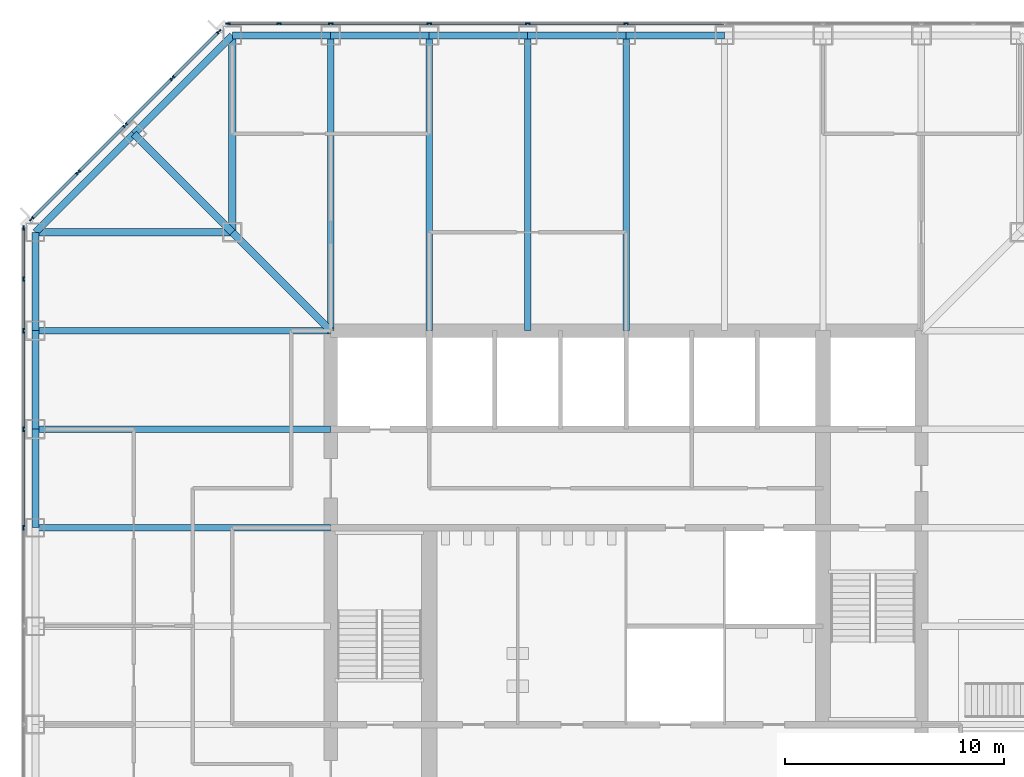
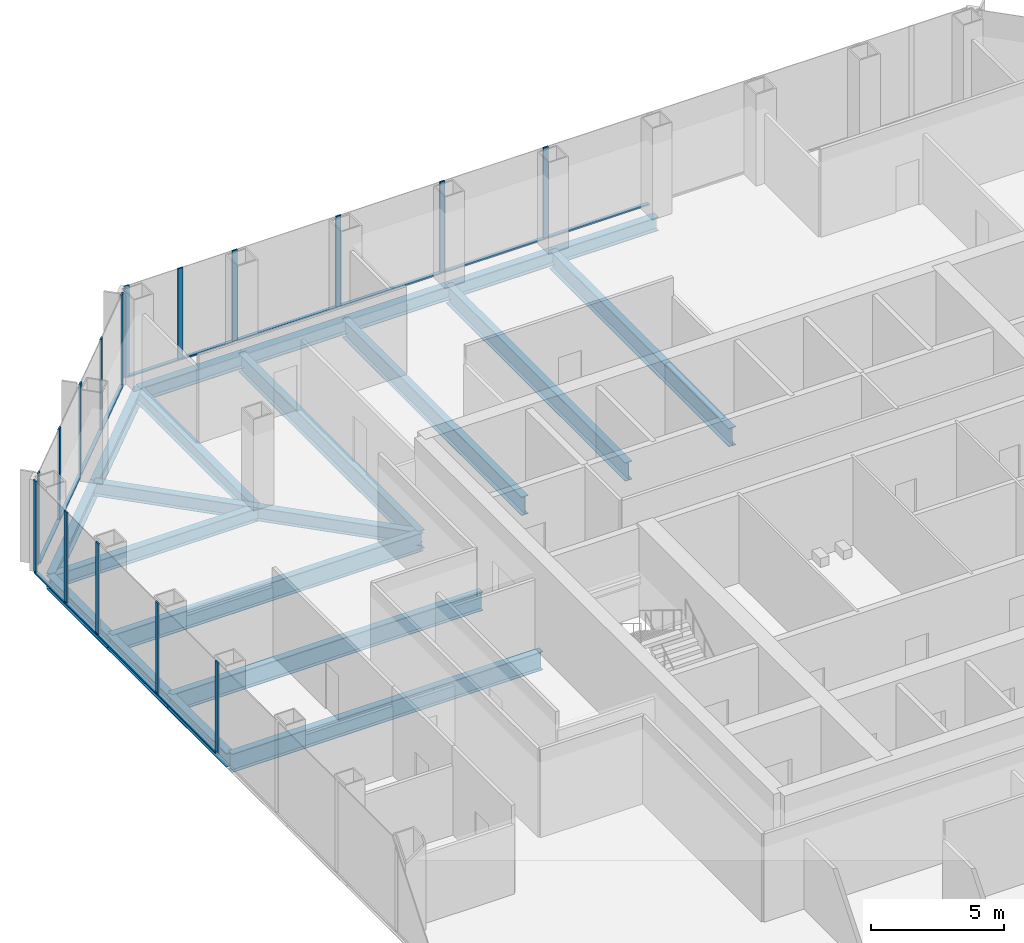
# One storey, part 5 of 12: 30 members, 21 beams, 3 elements without a shape of their own.
"""IFC4 building model written with IfcOpenShell, lengths in metres."""

from ifc_helpers import new_model, si_unit, direction, frame, origin, origin_2d, place, context, subcontext, project, spatial, rectangle, i_section, extrude, material, material_profile, profile_set, type_object, element, aggregate, save


model = new_model("IFC4")

# Units and contexts
model_context = context("Model", 3, precision=1e-05, world=origin(), true_north=direction((0.0, 1.0)))
body_context = subcontext(model_context, "Body", "Model", "MODEL_VIEW")
ifc_project = project(units=[si_unit("LENGTHUNIT", "METRE"), si_unit("AREAUNIT", "SQUARE_METRE"), si_unit("VOLUMEUNIT", "CUBIC_METRE"), si_unit("PLANEANGLEUNIT", "RADIAN"), si_unit("MASSUNIT", "GRAM", prefix="KILO")], contexts=[model_context])

# Site, building, storey
site_placement = place(None, origin())
site = spatial("IfcSite", under=ifc_project, at=site_placement, CompositionType="ELEMENT")
building_placement = place(site_placement, origin())
building = spatial("IfcBuilding", under=site, at=building_placement, Name="Corais Broadcast Tower", CompositionType="ELEMENT")
storey_placement = place(building_placement, frame((0.0, 0.0, 29.0)))
storey = spatial("IfcBuildingStorey", under=building, at=storey_placement, Name="L05", CompositionType="ELEMENT", Elevation=29.0)

# Beams
ifc_material_1 = material(Name="Steel ASTM A572 Grade 50", Category="steel")
ifc_material_profile_1 = material_profile(ifc_material_1, i_section(OverallWidth=0.323974609375, OverallDepth=0.611083984375, WebThickness=0.0126953125, FlangeThickness=0.01904296875, at=origin_2d()), Name="W610x155")
ifc_profile_set_1 = profile_set([ifc_material_profile_1], Name="Steel ASTM A572 Grade 50")
beam_type_1 = type_object("IfcBeamType", Name="Chamfer tie W610x155", PredefinedType="BEAM", material=ifc_profile_set_1)
beam_1_placement = place(storey_placement, frame((4.5, 49.5, -0.465576171875), z_axis=(0.707106781187, -0.707106781187, 0.0), x_axis=(0.707106781187, 0.707106781187, 0.0)))
element("IfcBeam", 1, at=beam_1_placement, inside=storey, type_object=beam_type_1, Name="B5 M/4 to L/5", PredefinedType="BEAM", context=body_context, shape_type="SweptSolid", body=[
    extrude(i_section(OverallWidth=0.323974609375, OverallDepth=0.611083984375, WebThickness=0.0126953125, FlangeThickness=0.01904296875, at=origin_2d()), origin(), (0.0, 0.0, 1.0), 6.364013671875),
])
ifc_material_2 = material(Name="Steel ASTM A572 Grade 50", Category="steel")
ifc_material_profile_2 = material_profile(ifc_material_2, i_section(OverallWidth=0.323974609375, OverallDepth=0.611083984375, WebThickness=0.0126953125, FlangeThickness=0.01904296875, at=origin_2d()), Name="W610x155")
ifc_profile_set_2 = profile_set([ifc_material_profile_2], Name="Steel ASTM A572 Grade 50")
beam_type_2 = type_object("IfcBeamType", Name="Corner diagonal W610x155", PredefinedType="BEAM", material=ifc_profile_set_2)
beam_2_placement = place(storey_placement, frame((9.0, 45.0, -0.465576171875), z_axis=(0.707106781187, -0.707106781187, 0.0), x_axis=(0.707106781187, 0.707106781187, 0.0)))
element("IfcBeam", 2, at=beam_2_placement, inside=storey, type_object=beam_type_2, Name="B6 L/5 to K/6", PredefinedType="BEAM", context=body_context, shape_type="SweptSolid", body=[
    extrude(i_section(OverallWidth=0.323974609375, OverallDepth=0.611083984375, WebThickness=0.0126953125, FlangeThickness=0.01904296875, at=origin_2d()), origin(), (0.0, 0.0, 1.0), 6.364013671875),
])
ifc_material_3 = material(Name="Steel ASTM A572 Grade 50", Category="steel")
ifc_material_profile_3 = material_profile(ifc_material_3, i_section(OverallWidth=0.323974609375, OverallDepth=0.611083984375, WebThickness=0.0126953125, FlangeThickness=0.01904296875, at=origin_2d()), Name="W610x155")
ifc_profile_set_3 = profile_set([ifc_material_profile_3], Name="Steel ASTM A572 Grade 50")
beam_type_3 = type_object("IfcBeamType", Name="Corner girder W610x155", PredefinedType="BEAM", material=ifc_profile_set_3)
for number, where, z_axis, x_axis, name in (
    (3, (0.0, 45.0, -0.465576171875), (1.0, 0.0, 0.0), (0.0, 1.0, 0.0), "B4 L/3 to L/5"),
    (4, (9.0, 54.0, -0.465576171875), (0.0, -1.0, 0.0), (1.0, 0.0, 0.0), "B4 N/5 to L/5"),
):
    element("IfcBeam", number, at=place(storey_placement, frame(where, z_axis=z_axis, x_axis=x_axis)), inside=storey, type_object=beam_type_3, Name=name, PredefinedType="BEAM", context=body_context, shape_type="SweptSolid", body=[
        extrude(i_section(OverallWidth=0.323974609375, OverallDepth=0.611083984375, WebThickness=0.0126953125, FlangeThickness=0.01904296875, at=origin_2d()), origin(), (0.0, 0.0, 1.0), 9.0),
    ])
ifc_material_4 = material(Name="Steel ASTM A572 Grade 50", Category="steel")
ifc_material_profile_4 = material_profile(ifc_material_4, i_section(OverallWidth=0.2939453125, OverallDepth=0.85107421875, WebThickness=0.01611328125, FlangeThickness=0.02685546875, at=origin_2d()), Name="W840x226")
ifc_profile_set_4 = profile_set([ifc_material_profile_4], Name="Steel ASTM A572 Grade 50")
beam_type_4 = type_object("IfcBeamType", Name="Floor beam W840x226", PredefinedType="BEAM", material=ifc_profile_set_4)
for number, where, z_axis, x_axis, name in (
    (5, (0.0, 31.5, -0.58544921875), (1.0, 0.0, 0.0), (0.0, 1.0, 0.0), "B1 H/3 to H/6"),
    (6, (0.0, 36.0, -0.58544921875), (1.0, 0.0, 0.0), (0.0, 1.0, 0.0), "B1 J/3 to J/6"),
    (7, (0.0, 40.5, -0.58544921875), (1.0, 0.0, 0.0), (0.0, 1.0, 0.0), "B1 K/3 to K/6"),
    (8, (13.5, 54.0, -0.58544921875), (0.0, -1.0, 0.0), (1.0, 0.0, 0.0), "B1 N/6 to K/6"),
    (9, (18.0, 54.0, -0.58544921875), (0.0, -1.0, 0.0), (1.0, 0.0, 0.0), "B1 N/7 to K/7"),
    (10, (22.5, 54.0, -0.58544921875), (0.0, -1.0, 0.0), (1.0, 0.0, 0.0), "B1 N/8 to K/8"),
    (11, (27.0, 54.0, -0.58544921875), (0.0, -1.0, 0.0), (1.0, 0.0, 0.0), "B1 N/9 to K/9"),
):
    element("IfcBeam", number, at=place(storey_placement, frame(where, z_axis=z_axis, x_axis=x_axis)), inside=storey, type_object=beam_type_4, Name=name, PredefinedType="BEAM", context=body_context, shape_type="SweptSolid", body=[
        extrude(i_section(OverallWidth=0.2939453125, OverallDepth=0.85107421875, WebThickness=0.01611328125, FlangeThickness=0.02685546875, at=origin_2d()), origin(), (0.0, 0.0, 1.0), 13.5),
    ])

# Curtain wall, members
ifc_material_5 = material(Name="Aluminium and glass", Category="aluminium")
curtain_wall_type = type_object("IfcCurtainWallType", Name="Newsroom clear-glass curtain wall CW7", PredefinedType="NOTDEFINED", material=ifc_material_5)
curtain_wall_1_placement = place(storey_placement, origin())
curtain_wall_1 = element("IfcCurtainWall", 12, at=curtain_wall_1_placement, inside=storey, type_object=curtain_wall_type, Name="CW7 curtain wall L05 2", PredefinedType="NOTDEFINED")
ifc_material_6 = material(Name="Aluminium 6063-T6", Category="aluminium")
ifc_material_profile_5 = material_profile(ifc_material_6, rectangle(XDim=0.06494140625, YDim=0.219970703125, at=origin_2d()), Name="Mullion CW7 65x220")
ifc_profile_set_5 = profile_set([ifc_material_profile_5], Name="Aluminium 6063-T6")
member_type_1 = type_object("IfcMemberType", Name="Mullion CW7 65x220", PredefinedType="MULLION", material=ifc_profile_set_5)
member_1_placement = place(storey_placement, frame((-0.550048828125, 31.5, 0.0), z_axis=(0.0, 0.0, 1.0), x_axis=(-1.0, 0.0, 0.0)))
member_1 = element("IfcMember", 13, at=member_1_placement, type_object=member_type_1, Name="CW7 mullion 7", PredefinedType="MULLION", context=body_context, shape_type="SweptSolid", body=[
    extrude(rectangle(XDim=0.06494140625, YDim=0.219970703125, at=origin_2d()), origin(), (0.0, 0.0, 1.0), 4.199951171875),
])
member_2_placement = place(storey_placement, frame((-0.550048828125, 36.0, 0.0), z_axis=(0.0, 0.0, 1.0), x_axis=(-1.0, 0.0, 0.0)))
member_2 = element("IfcMember", 14, at=member_2_placement, type_object=member_type_1, Name="CW7 mullion 8", PredefinedType="MULLION", context=body_context, shape_type="SweptSolid", body=[
    extrude(rectangle(XDim=0.06494140625, YDim=0.219970703125, at=origin_2d()), origin(), (0.0, 0.0, 1.0), 4.199951171875),
])
member_3_placement = place(storey_placement, frame((-0.550048828125, 40.5, 0.0), z_axis=(0.0, 0.0, 1.0), x_axis=(-1.0, 0.0, 0.0)))
member_3 = element("IfcMember", 15, at=member_3_placement, type_object=member_type_1, Name="CW7 mullion 9", PredefinedType="MULLION", context=body_context, shape_type="SweptSolid", body=[
    extrude(rectangle(XDim=0.06494140625, YDim=0.219970703125, at=origin_2d()), origin(), (0.0, 0.0, 1.0), 4.199951171875),
])
member_4_placement = place(storey_placement, frame((-0.550048828125, 42.864013671875, 0.0), z_axis=(0.0, 0.0, 1.0), x_axis=(-1.0, 0.0, 0.0)))
member_4 = element("IfcMember", 16, at=member_4_placement, type_object=member_type_1, Name="CW7 mullion 10", PredefinedType="MULLION", context=body_context, shape_type="SweptSolid", body=[
    extrude(rectangle(XDim=0.06494140625, YDim=0.219970703125, at=origin_2d()), origin(), (0.0, 0.0, 1.0), 4.199951171875),
])
member_5_placement = place(storey_placement, frame((-0.550048828125, 45.1953125, 0.0), z_axis=(0.0, 0.0, 1.0), x_axis=(-1.0, 0.0, 0.0)))
member_5 = element("IfcMember", 17, at=member_5_placement, type_object=member_type_1, Name="CW7 mullion 11", PredefinedType="MULLION", context=body_context, shape_type="SweptSolid", body=[
    extrude(rectangle(XDim=0.06494140625, YDim=0.219970703125, at=origin_2d()), origin(), (0.0, 0.0, 1.0), 4.199951171875),
])

curtain_wall_2_placement = place(storey_placement, origin())
curtain_wall_2 = element("IfcCurtainWall", 18, at=curtain_wall_2_placement, inside=storey, type_object=curtain_wall_type, Name="CW7 curtain wall L05 3", PredefinedType="NOTDEFINED")
member_6_placement = place(storey_placement, frame((-0.17333984375, 45.6044921875, 0.0), z_axis=(0.0, 0.0, 1.0), x_axis=(-0.707106781187, 0.707106781187, 0.0)))
member_6 = element("IfcMember", 19, at=member_6_placement, type_object=member_type_1, Name="CW7 mullion 1", PredefinedType="MULLION", context=body_context, shape_type="SweptSolid", body=[
    extrude(rectangle(XDim=0.06494140625, YDim=0.219970703125, at=origin_2d()), origin(), (0.0, 0.0, 1.0), 4.199951171875),
])
member_7_placement = place(storey_placement, frame((1.957275390625, 47.735107421875, 0.0), z_axis=(0.0, 0.0, 1.0), x_axis=(-0.707106781187, 0.707106781187, 0.0)))
member_7 = element("IfcMember", 20, at=member_7_placement, type_object=member_type_1, Name="CW7 mullion 2", PredefinedType="MULLION", context=body_context, shape_type="SweptSolid", body=[
    extrude(rectangle(XDim=0.06494140625, YDim=0.219970703125, at=origin_2d()), origin(), (0.0, 0.0, 1.0), 4.199951171875),
])
member_8_placement = place(storey_placement, frame((4.111083984375, 49.888916015625, 0.0), z_axis=(0.0, 0.0, 1.0), x_axis=(-0.707106781187, 0.707106781187, 0.0)))
member_8 = element("IfcMember", 21, at=member_8_placement, type_object=member_type_1, Name="CW7 mullion 3", PredefinedType="MULLION", context=body_context, shape_type="SweptSolid", body=[
    extrude(rectangle(XDim=0.06494140625, YDim=0.219970703125, at=origin_2d()), origin(), (0.0, 0.0, 1.0), 4.199951171875),
])
member_9_placement = place(storey_placement, frame((6.264892578125, 52.042724609375, 0.0), z_axis=(0.0, 0.0, 1.0), x_axis=(-0.707106781187, 0.707106781187, 0.0)))
member_9 = element("IfcMember", 22, at=member_9_placement, type_object=member_type_1, Name="CW7 mullion 4", PredefinedType="MULLION", context=body_context, shape_type="SweptSolid", body=[
    extrude(rectangle(XDim=0.06494140625, YDim=0.219970703125, at=origin_2d()), origin(), (0.0, 0.0, 1.0), 4.199951171875),
])
member_10_placement = place(storey_placement, frame((8.3955078125, 54.17333984375, 0.0), z_axis=(0.0, 0.0, 1.0), x_axis=(-0.707106781187, 0.707106781187, 0.0)))
member_10 = element("IfcMember", 23, at=member_10_placement, type_object=member_type_1, Name="CW7 mullion 5", PredefinedType="MULLION", context=body_context, shape_type="SweptSolid", body=[
    extrude(rectangle(XDim=0.06494140625, YDim=0.219970703125, at=origin_2d()), origin(), (0.0, 0.0, 1.0), 4.199951171875),
])

curtain_wall_3_placement = place(storey_placement, origin())
curtain_wall_3 = element("IfcCurtainWall", 24, at=curtain_wall_3_placement, inside=storey, type_object=curtain_wall_type, Name="CW7 curtain wall L05 4", PredefinedType="NOTDEFINED")
member_11_placement = place(storey_placement, frame((8.8046875, 54.550048828125, 0.0), z_axis=(0.0, 0.0, 1.0), x_axis=(0.0, 1.0, 0.0)))
member_11 = element("IfcMember", 25, at=member_11_placement, type_object=member_type_1, Name="CW7 mullion 1", PredefinedType="MULLION", context=body_context, shape_type="SweptSolid", body=[
    extrude(rectangle(XDim=0.06494140625, YDim=0.219970703125, at=origin_2d()), origin(), (0.0, 0.0, 1.0), 4.199951171875),
])
member_12_placement = place(storey_placement, frame((11.135986328125, 54.550048828125, 0.0), z_axis=(0.0, 0.0, 1.0), x_axis=(0.0, 1.0, 0.0)))
member_12 = element("IfcMember", 26, at=member_12_placement, type_object=member_type_1, Name="CW7 mullion 2", PredefinedType="MULLION", context=body_context, shape_type="SweptSolid", body=[
    extrude(rectangle(XDim=0.06494140625, YDim=0.219970703125, at=origin_2d()), origin(), (0.0, 0.0, 1.0), 4.199951171875),
])
member_13_placement = place(storey_placement, frame((13.5, 54.550048828125, 0.0), z_axis=(0.0, 0.0, 1.0), x_axis=(0.0, 1.0, 0.0)))
member_13 = element("IfcMember", 27, at=member_13_placement, type_object=member_type_1, Name="CW7 mullion 3", PredefinedType="MULLION", context=body_context, shape_type="SweptSolid", body=[
    extrude(rectangle(XDim=0.06494140625, YDim=0.219970703125, at=origin_2d()), origin(), (0.0, 0.0, 1.0), 4.199951171875),
])
member_14_placement = place(storey_placement, frame((18.0, 54.550048828125, 0.0), z_axis=(0.0, 0.0, 1.0), x_axis=(0.0, 1.0, 0.0)))
member_14 = element("IfcMember", 28, at=member_14_placement, type_object=member_type_1, Name="CW7 mullion 4", PredefinedType="MULLION", context=body_context, shape_type="SweptSolid", body=[
    extrude(rectangle(XDim=0.06494140625, YDim=0.219970703125, at=origin_2d()), origin(), (0.0, 0.0, 1.0), 4.199951171875),
])
member_15_placement = place(storey_placement, frame((22.5, 54.550048828125, 0.0), z_axis=(0.0, 0.0, 1.0), x_axis=(0.0, 1.0, 0.0)))
member_15 = element("IfcMember", 29, at=member_15_placement, type_object=member_type_1, Name="CW7 mullion 5", PredefinedType="MULLION", context=body_context, shape_type="SweptSolid", body=[
    extrude(rectangle(XDim=0.06494140625, YDim=0.219970703125, at=origin_2d()), origin(), (0.0, 0.0, 1.0), 4.199951171875),
])
member_16_placement = place(storey_placement, frame((27.0, 54.550048828125, 0.0), z_axis=(0.0, 0.0, 1.0), x_axis=(0.0, 1.0, 0.0)))
member_16 = element("IfcMember", 30, at=member_16_placement, type_object=member_type_1, Name="CW7 mullion 6", PredefinedType="MULLION", context=body_context, shape_type="SweptSolid", body=[
    extrude(rectangle(XDim=0.06494140625, YDim=0.219970703125, at=origin_2d()), origin(), (0.0, 0.0, 1.0), 4.199951171875),
])

# Beams
ifc_material_7 = material(Name="Steel ASTM A572 Grade 50", Category="steel")
ifc_material_profile_6 = material_profile(ifc_material_7, i_section(OverallWidth=0.3291015625, OverallDepth=0.635009765625, WebThickness=0.017822265625, FlangeThickness=0.031005859375, at=origin_2d()), Name="W610x241")
ifc_profile_set_6 = profile_set([ifc_material_profile_6], Name="Steel ASTM A572 Grade 50")
beam_type_5 = type_object("IfcBeamType", Name="Spandrel W610x241", PredefinedType="BEAM", material=ifc_profile_set_6)
for number, where, z_axis, x_axis, name in (
    (31, (0.0, 36.0, -0.4775390625), (0.0, -1.0, 0.0), (1.0, 0.0, 0.0), "SB1 J/3 to H/3"),
    (32, (0.0, 40.5, -0.4775390625), (0.0, -1.0, 0.0), (1.0, 0.0, 0.0), "SB1 K/3 to J/3"),
    (33, (0.0, 45.0, -0.4775390625), (0.0, -1.0, 0.0), (1.0, 0.0, 0.0), "SB1 L/3 to K/3"),
    (34, (13.5, 54.0, -0.4775390625), (-1.0, 0.0, 0.0), (0.0, -1.0, 0.0), "SB1 N/6 to N/5"),
    (35, (18.0, 54.0, -0.4775390625), (-1.0, 0.0, 0.0), (0.0, -1.0, 0.0), "SB1 N/7 to N/6"),
    (36, (22.5, 54.0, -0.4775390625), (-1.0, 0.0, 0.0), (0.0, -1.0, 0.0), "SB1 N/8 to N/7"),
    (37, (27.0, 54.0, -0.4775390625), (-1.0, 0.0, 0.0), (0.0, -1.0, 0.0), "SB1 N/9 to N/8"),
    (38, (31.5, 54.0, -0.4775390625), (-1.0, 0.0, 0.0), (0.0, -1.0, 0.0), "SB1 N/10 to N/9"),
):
    element("IfcBeam", number, at=place(storey_placement, frame(where, z_axis=z_axis, x_axis=x_axis)), inside=storey, type_object=beam_type_5, Name=name, PredefinedType="BEAM", context=body_context, shape_type="SweptSolid", body=[
        extrude(i_section(OverallWidth=0.3291015625, OverallDepth=0.635009765625, WebThickness=0.017822265625, FlangeThickness=0.031005859375, at=origin_2d()), origin(), (0.0, 0.0, 1.0), 4.5),
    ])
for number, where, z_axis, x_axis, name in (
    (39, (4.5, 49.5, -0.4775390625), (-0.707106781187, -0.707106781187, 0.0), (0.707106781187, -0.707106781187, 0.0), "SB1 M/4 to L/3"),
    (40, (9.0, 54.0, -0.4775390625), (-0.707106781187, -0.707106781187, 0.0), (0.707106781187, -0.707106781187, 0.0), "SB1 N/5 to M/4"),
):
    element("IfcBeam", number, at=place(storey_placement, frame(where, z_axis=z_axis, x_axis=x_axis)), inside=storey, type_object=beam_type_5, Name=name, PredefinedType="BEAM", context=body_context, shape_type="SweptSolid", body=[
        extrude(i_section(OverallWidth=0.3291015625, OverallDepth=0.635009765625, WebThickness=0.017822265625, FlangeThickness=0.031005859375, at=origin_2d()), origin(), (0.0, 0.0, 1.0), 6.364013671875),
    ])

# Member
ifc_material_8 = material(Name="Aluminium 6063-T6", Category="aluminium")
ifc_material_profile_7 = material_profile(ifc_material_8, rectangle(XDim=0.14990234375, YDim=0.06494140625, at=origin_2d()), Name="Transom CW7 65x150")
ifc_profile_set_7 = profile_set([ifc_material_profile_7], Name="Aluminium 6063-T6")
member_type_2 = type_object("IfcMemberType", Name="Transom CW7 65x150", PredefinedType="USERDEFINED", material=ifc_profile_set_7)
member_17_placement = place(storey_placement, frame((-0.550048828125, 31.532470703125, 0.032470703125), z_axis=(0.0, 1.0, 0.0), x_axis=(-1.0, 0.0, 0.0)))
member_17 = element("IfcMember", 41, at=member_17_placement, type_object=member_type_2, Name="CW7 transom 7.1", ObjectType="TRANSOM", PredefinedType="USERDEFINED", context=body_context, shape_type="SweptSolid", body=[
    extrude(rectangle(XDim=0.14990234375, YDim=0.06494140625, at=origin_2d()), origin(), (0.0, 0.0, 1.0), 4.43505859375),
])

member_18_placement = place(storey_placement, frame((-0.550048828125, 36.032470703125, 0.032470703125), z_axis=(0.0, 1.0, 0.0), x_axis=(-1.0, 0.0, 0.0)))
member_18 = element("IfcMember", 42, at=member_18_placement, type_object=member_type_2, Name="CW7 transom 8.1", ObjectType="TRANSOM", PredefinedType="USERDEFINED", context=body_context, shape_type="SweptSolid", body=[
    extrude(rectangle(XDim=0.14990234375, YDim=0.06494140625, at=origin_2d()), origin(), (0.0, 0.0, 1.0), 4.43505859375),
])

member_19_placement = place(storey_placement, frame((-0.550048828125, 40.532470703125, 0.032470703125), z_axis=(0.0, 1.0, 0.0), x_axis=(-1.0, 0.0, 0.0)))
member_19 = element("IfcMember", 43, at=member_19_placement, type_object=member_type_2, Name="CW7 transom 9.1", ObjectType="TRANSOM", PredefinedType="USERDEFINED", context=body_context, shape_type="SweptSolid", body=[
    extrude(rectangle(XDim=0.14990234375, YDim=0.06494140625, at=origin_2d()), origin(), (0.0, 0.0, 1.0), 2.298828125),
])

member_20_placement = place(storey_placement, frame((-0.550048828125, 42.896484375, 0.032470703125), z_axis=(0.0, 1.0, 0.0), x_axis=(-1.0, 0.0, 0.0)))
member_20 = element("IfcMember", 44, at=member_20_placement, type_object=member_type_2, Name="CW7 transom 10.1", ObjectType="TRANSOM", PredefinedType="USERDEFINED", context=body_context, shape_type="SweptSolid", body=[
    extrude(rectangle(XDim=0.14990234375, YDim=0.06494140625, at=origin_2d()), origin(), (0.0, 0.0, 1.0), 2.266357421875),
])

aggregate(curtain_wall_1, [member_1, member_2, member_3, member_4, member_5, member_17, member_18, member_19, member_20])

member_21_placement = place(storey_placement, frame((-0.150390625, 45.62744140625, 0.032470703125), z_axis=(0.707106781187, 0.707106781187, 0.0), x_axis=(-0.707106781187, 0.707106781187, 0.0)))
member_21 = element("IfcMember", 45, at=member_21_placement, type_object=member_type_2, Name="CW7 transom 1.1", ObjectType="TRANSOM", PredefinedType="USERDEFINED", context=body_context, shape_type="SweptSolid", body=[
    extrude(rectangle(XDim=0.14990234375, YDim=0.06494140625, at=origin_2d()), origin(), (0.0, 0.0, 1.0), 2.9482421875),
])

member_22_placement = place(storey_placement, frame((1.980224609375, 47.758056640625, 0.032470703125), z_axis=(0.707106781187, 0.707106781187, 0.0), x_axis=(-0.707106781187, 0.707106781187, 0.0)))
member_22 = element("IfcMember", 46, at=member_22_placement, type_object=member_type_2, Name="CW7 transom 2.1", ObjectType="TRANSOM", PredefinedType="USERDEFINED", context=body_context, shape_type="SweptSolid", body=[
    extrude(rectangle(XDim=0.14990234375, YDim=0.06494140625, at=origin_2d()), origin(), (0.0, 0.0, 1.0), 2.98095703125),
])

member_23_placement = place(storey_placement, frame((4.134033203125, 49.911865234375, 0.032470703125), z_axis=(0.707106781187, 0.707106781187, 0.0), x_axis=(-0.707106781187, 0.707106781187, 0.0)))
member_23 = element("IfcMember", 47, at=member_23_placement, type_object=member_type_2, Name="CW7 transom 3.1", ObjectType="TRANSOM", PredefinedType="USERDEFINED", context=body_context, shape_type="SweptSolid", body=[
    extrude(rectangle(XDim=0.14990234375, YDim=0.06494140625, at=origin_2d()), origin(), (0.0, 0.0, 1.0), 2.98095703125),
])

member_24_placement = place(storey_placement, frame((6.287841796875, 52.065673828125, 0.032470703125), z_axis=(0.707106781187, 0.707106781187, 0.0), x_axis=(-0.707106781187, 0.707106781187, 0.0)))
member_24 = element("IfcMember", 48, at=member_24_placement, type_object=member_type_2, Name="CW7 transom 4.1", ObjectType="TRANSOM", PredefinedType="USERDEFINED", context=body_context, shape_type="SweptSolid", body=[
    extrude(rectangle(XDim=0.14990234375, YDim=0.06494140625, at=origin_2d()), origin(), (0.0, 0.0, 1.0), 2.9482421875),
])

aggregate(curtain_wall_2, [member_6, member_7, member_8, member_9, member_10, member_21, member_22, member_23, member_24])

member_25_placement = place(storey_placement, frame((8.837158203125, 54.550048828125, 0.032470703125), z_axis=(1.0, 0.0, 0.0), x_axis=(0.0, 1.0, 0.0)))
member_25 = element("IfcMember", 49, at=member_25_placement, type_object=member_type_2, Name="CW7 transom 1.1", ObjectType="TRANSOM", PredefinedType="USERDEFINED", context=body_context, shape_type="SweptSolid", body=[
    extrude(rectangle(XDim=0.14990234375, YDim=0.06494140625, at=origin_2d()), origin(), (0.0, 0.0, 1.0), 2.266357421875),
])

member_26_placement = place(storey_placement, frame((11.168701171875, 54.550048828125, 0.032470703125), z_axis=(1.0, 0.0, 0.0), x_axis=(0.0, 1.0, 0.0)))
member_26 = element("IfcMember", 50, at=member_26_placement, type_object=member_type_2, Name="CW7 transom 2.1", ObjectType="TRANSOM", PredefinedType="USERDEFINED", context=body_context, shape_type="SweptSolid", body=[
    extrude(rectangle(XDim=0.14990234375, YDim=0.06494140625, at=origin_2d()), origin(), (0.0, 0.0, 1.0), 2.298828125),
])

member_27_placement = place(storey_placement, frame((13.532470703125, 54.550048828125, 0.032470703125), z_axis=(1.0, 0.0, 0.0), x_axis=(0.0, 1.0, 0.0)))
member_27 = element("IfcMember", 51, at=member_27_placement, type_object=member_type_2, Name="CW7 transom 3.1", ObjectType="TRANSOM", PredefinedType="USERDEFINED", context=body_context, shape_type="SweptSolid", body=[
    extrude(rectangle(XDim=0.14990234375, YDim=0.06494140625, at=origin_2d()), origin(), (0.0, 0.0, 1.0), 4.43505859375),
])

member_28_placement = place(storey_placement, frame((18.032470703125, 54.550048828125, 0.032470703125), z_axis=(1.0, 0.0, 0.0), x_axis=(0.0, 1.0, 0.0)))
member_28 = element("IfcMember", 52, at=member_28_placement, type_object=member_type_2, Name="CW7 transom 4.1", ObjectType="TRANSOM", PredefinedType="USERDEFINED", context=body_context, shape_type="SweptSolid", body=[
    extrude(rectangle(XDim=0.14990234375, YDim=0.06494140625, at=origin_2d()), origin(), (0.0, 0.0, 1.0), 4.43505859375),
])

member_29_placement = place(storey_placement, frame((22.532470703125, 54.550048828125, 0.032470703125), z_axis=(1.0, 0.0, 0.0), x_axis=(0.0, 1.0, 0.0)))
member_29 = element("IfcMember", 53, at=member_29_placement, type_object=member_type_2, Name="CW7 transom 5.1", ObjectType="TRANSOM", PredefinedType="USERDEFINED", context=body_context, shape_type="SweptSolid", body=[
    extrude(rectangle(XDim=0.14990234375, YDim=0.06494140625, at=origin_2d()), origin(), (0.0, 0.0, 1.0), 4.43505859375),
])

member_30_placement = place(storey_placement, frame((27.032470703125, 54.550048828125, 0.032470703125), z_axis=(1.0, 0.0, 0.0), x_axis=(0.0, 1.0, 0.0)))
member_30 = element("IfcMember", 54, at=member_30_placement, type_object=member_type_2, Name="CW7 transom 6.1", ObjectType="TRANSOM", PredefinedType="USERDEFINED", context=body_context, shape_type="SweptSolid", body=[
    extrude(rectangle(XDim=0.14990234375, YDim=0.06494140625, at=origin_2d()), origin(), (0.0, 0.0, 1.0), 4.43505859375),
])

aggregate(curtain_wall_3, [member_11, member_12, member_13, member_14, member_15, member_16, member_25, member_26, member_27, member_28, member_29, member_30])

save(model, "model.ifc")
